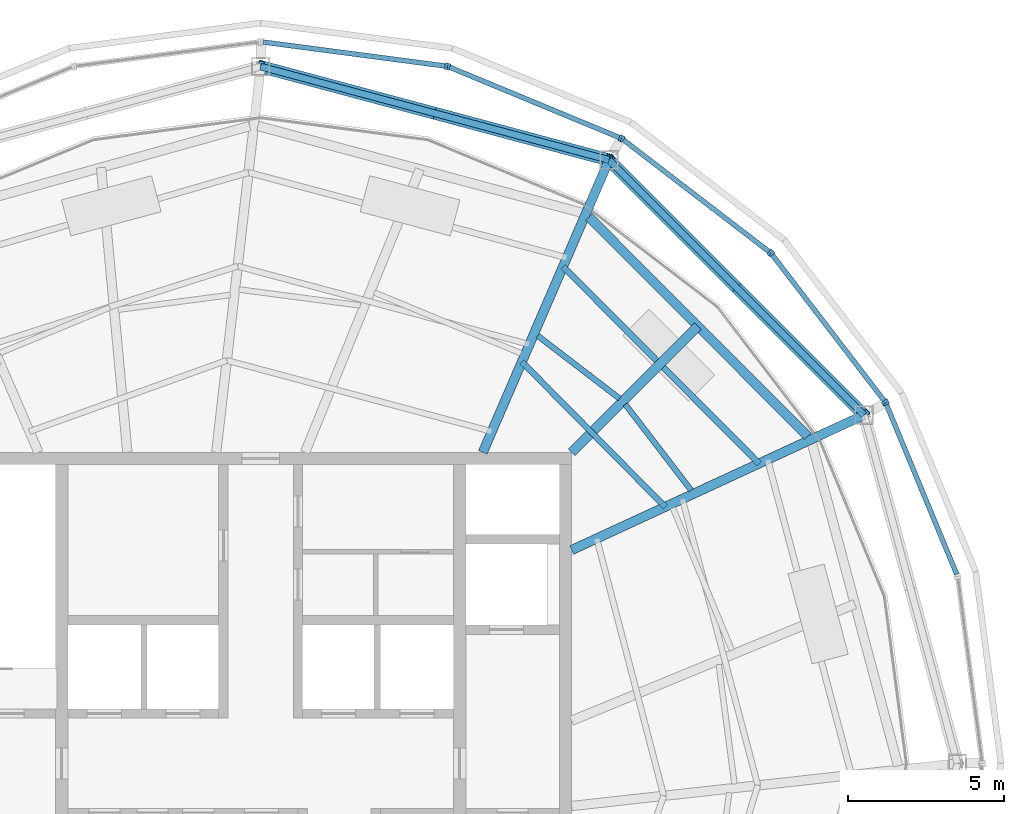
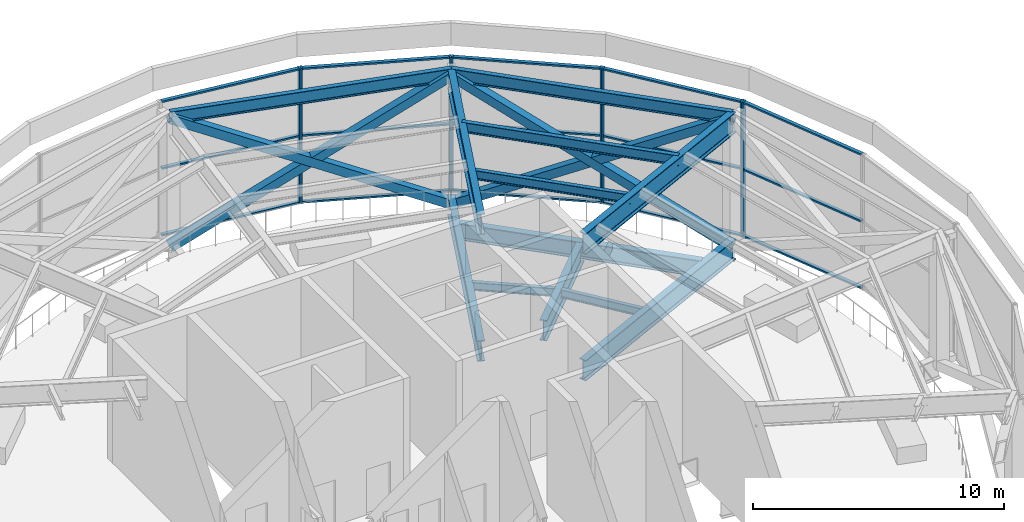
# One storey, part 7 of 13: 29 members, 10 beams, 5 elements without a shape of their own.
"""IFC4 building model written with IfcOpenShell, lengths in metres."""

from ifc_helpers import new_model, si_unit, direction, frame, origin, origin_2d, place, context, subcontext, project, spatial, rectangle, hollow_rectangle, i_section, extrude, material, material_profile, profile_set, type_object, element, aggregate, save


model = new_model("IFC4")

# Units and contexts
model_context = context("Model", 3, precision=1e-05, world=origin(), true_north=direction((0.0, 1.0)))
body_context = subcontext(model_context, "Body", "Model", "MODEL_VIEW")
ifc_project = project(units=[si_unit("LENGTHUNIT", "METRE"), si_unit("AREAUNIT", "SQUARE_METRE"), si_unit("VOLUMEUNIT", "CUBIC_METRE"), si_unit("PLANEANGLEUNIT", "RADIAN"), si_unit("MASSUNIT", "GRAM", prefix="KILO")], contexts=[model_context])

# Site, building, storey
site_placement = place(None, origin())
site = spatial("IfcSite", under=ifc_project, at=site_placement, CompositionType="ELEMENT")
building_placement = place(site_placement, origin())
building = spatial("IfcBuilding", under=site, at=building_placement, Name="Golbaran Civic Tower", CompositionType="ELEMENT")
storey_placement = place(building_placement, frame((0.0, 0.0, 284.0)))
storey = spatial("IfcBuildingStorey", under=building, at=storey_placement, Name="L69", CompositionType="ELEMENT", Elevation=284.0)

# Members
ifc_material_1 = material(Name="Steel S355", Category="steel")
ifc_material_profile_1 = material_profile(ifc_material_1, hollow_rectangle(XDim=0.39990234375, YDim=0.39990234375, WallThickness=0.030029296875, at=origin_2d()), Name="BOX 400x400x30")
ifc_profile_set_1 = profile_set([ifc_material_profile_1], Name="Steel S355")
member_type_1 = type_object("IfcMemberType", Name="CROWN FRAME BRACE BOX 400x400x30", PredefinedType="BRACE", material=ifc_profile_set_1)
for number, where, z_axis, x_axis, name in (
    (1, (19.39892578125, 11.199951171875, -0.7099609375), (-0.622217242579, 0.622217242579, 0.475069895988), (-0.707106781187, -0.707106781187, 0.0), "Crown frame brace 2A"),
    (2, (11.199951171875, 19.39892578125, -0.7099609375), (0.622217242579, -0.622217242579, 0.475069895988), (0.707106781187, 0.707106781187, 0.0), "Crown frame brace 2B"),
    (3, (11.199951171875, 19.39892578125, -0.7099609375), (-0.849964200377, 0.227744086126, 0.475072088542), (-0.258815721085, -0.965926716951, 0.0), "Crown frame brace 3A"),
    (4, (0.0, 22.39990234375, -0.7099609375), (0.849964200377, -0.227744086126, 0.475072088542), (0.258815721085, 0.965926716951, 0.0), "Crown frame brace 3B"),
):
    element("IfcMember", number, at=place(storey_placement, frame(where, z_axis=z_axis, x_axis=x_axis)), inside=storey, type_object=member_type_1, Name=name, PredefinedType="BRACE", context=body_context, shape_type="SweptSolid", body=[
        extrude(hollow_rectangle(XDim=0.39990234375, YDim=0.39990234375, WallThickness=0.030029296875, at=origin_2d()), origin(), (0.0, 0.0, 1.0), 13.177001953125),
    ])
ifc_material_profile_2 = material_profile(ifc_material_1, i_section(OverallWidth=0.18994140625, OverallDepth=0.449951171875, WebThickness=0.009521484375, FlangeThickness=0.0146484375, FilletRadius=0.02099609375, at=origin_2d()), Name="IPE 450")
ifc_profile_set_2 = profile_set([ifc_material_profile_2], Name="Steel S355")
member_type_2 = type_object("IfcMemberType", Name="CROWN FRAME CANOPY PURLIN IPE 450", PredefinedType="PURLIN", material=ifc_profile_set_2)
member_1_placement = place(storey_placement, frame((13.006103515625, 8.24609375, 5.625), z_axis=(-0.702923047744, 0.711265905938, 0.0), x_axis=(-0.711265905938, -0.702923047744, 0.0)))
element("IfcMember", 5, at=member_1_placement, inside=storey, type_object=member_type_2, Name="Canopy purlin 2-1", PredefinedType="PURLIN", context=body_context, shape_type="SweptSolid", body=[
    extrude(i_section(OverallWidth=0.18994140625, OverallDepth=0.449951171875, WebThickness=0.009521484375, FlangeThickness=0.0146484375, FilletRadius=0.02099609375, at=origin_2d()), origin(), (0.0, 0.0, 1.0), 6.554931640625),
])
ifc_material_profile_3 = material_profile(ifc_material_1, i_section(OverallWidth=0.199951171875, OverallDepth=0.5, WebThickness=0.01025390625, FlangeThickness=0.01611328125, FilletRadius=0.02099609375, at=origin_2d()), Name="IPE 500")
ifc_profile_set_3 = profile_set([ifc_material_profile_3], Name="Steel S355")
member_type_3 = type_object("IfcMemberType", Name="CROWN FRAME CANOPY PURLIN IPE 500", PredefinedType="PURLIN", material=ifc_profile_set_3)
member_2_placement = place(storey_placement, frame((16.0234375, 9.640380859375, 5.60009765625), z_axis=(-0.705301061713, 0.708907901173, 0.0), x_axis=(-0.708907901173, -0.705301061713, 0.0)))
element("IfcMember", 6, at=member_2_placement, inside=storey, type_object=member_type_3, Name="Canopy purlin 2-2", PredefinedType="PURLIN", context=body_context, shape_type="SweptSolid", body=[
    extrude(i_section(OverallWidth=0.199951171875, OverallDepth=0.5, WebThickness=0.01025390625, FlangeThickness=0.01611328125, FilletRadius=0.02099609375, at=origin_2d()), origin(), (0.0, 0.0, 1.0), 8.934814453125),
])

# Beams
ifc_material_profile_4 = material_profile(ifc_material_1, i_section(OverallWidth=0.300048828125, OverallDepth=1.0, WebThickness=0.01904296875, FlangeThickness=0.035888671875, FilletRadius=0.030029296875, at=origin_2d()), Name="HEB 1000")
ifc_profile_set_4 = profile_set([ifc_material_profile_4], Name="Steel S355")
beam_type_1 = type_object("IfcBeamType", Name="CROWN FRAME CANOPY RADIAL BEAM HEB 1000", PredefinedType="BEAM", material=ifc_profile_set_4)
beam_1_placement = place(storey_placement, frame((10.0, 6.857177734375, 5.35009765625), z_axis=(0.907782626383, 0.419440941298, 0.0), x_axis=(-0.419440941298, 0.907782626383, 0.0)))
element("IfcBeam", 7, at=beam_1_placement, inside=storey, type_object=beam_type_1, Name="Canopy radial beam 2", PredefinedType="BEAM", context=body_context, shape_type="SweptSolid", body=[
    extrude(i_section(OverallWidth=0.300048828125, OverallDepth=1.0, WebThickness=0.01904296875, FlangeThickness=0.035888671875, FilletRadius=0.030029296875, at=origin_2d()), origin(), (0.0, 0.0, 1.0), 10.353759765625),
])
beam_2_placement = place(storey_placement, frame((7.142822265625, 10.0, 5.35009765625), z_axis=(0.396312669682, 0.918115607018, 0.0), x_axis=(-0.918115607018, 0.396312669682, 0.0)))
element("IfcBeam", 8, at=beam_2_placement, inside=storey, type_object=beam_type_1, Name="Canopy radial beam 3", PredefinedType="BEAM", context=body_context, shape_type="SweptSolid", body=[
    extrude(i_section(OverallWidth=0.300048828125, OverallDepth=1.0, WebThickness=0.01904296875, FlangeThickness=0.035888671875, FilletRadius=0.030029296875, at=origin_2d()), origin(), (0.0, 0.0, 1.0), 10.2373046875),
])
ifc_material_profile_5 = material_profile(ifc_material_1, i_section(OverallWidth=0.219970703125, OverallDepth=0.60009765625, WebThickness=0.011962890625, FlangeThickness=0.01904296875, FilletRadius=0.02392578125, at=origin_2d()), Name="IPE 600")
ifc_profile_set_5 = profile_set([ifc_material_profile_5], Name="Steel S355")
beam_type_2 = type_object("IfcBeamType", Name="CROWN FRAME CANOPY RING BEAM IPE 600", PredefinedType="BEAM", material=ifc_profile_set_5)
beam_3_placement = place(storey_placement, frame((19.39892578125, 11.199951171875, 5.550048828125), z_axis=(-0.707106781187, 0.707106781187, 0.0), x_axis=(-0.707106781187, -0.707106781187, 0.0)))
element("IfcBeam", 9, at=beam_3_placement, inside=storey, type_object=beam_type_2, Name="Canopy ring beam 2", PredefinedType="BEAM", context=body_context, shape_type="SweptSolid", body=[
    extrude(i_section(OverallWidth=0.219970703125, OverallDepth=0.60009765625, WebThickness=0.011962890625, FlangeThickness=0.01904296875, FilletRadius=0.02392578125, at=origin_2d()), origin(), (0.0, 0.0, 1.0), 11.59521484375),
])
beam_4_placement = place(storey_placement, frame((11.199951171875, 19.39892578125, 5.550048828125), z_axis=(-0.965926716951, 0.258815721085, 0.0), x_axis=(-0.258815721085, -0.965926716951, 0.0)))
element("IfcBeam", 10, at=beam_4_placement, inside=storey, type_object=beam_type_2, Name="Canopy ring beam 3", PredefinedType="BEAM", context=body_context, shape_type="SweptSolid", body=[
    extrude(i_section(OverallWidth=0.219970703125, OverallDepth=0.60009765625, WebThickness=0.011962890625, FlangeThickness=0.01904296875, FilletRadius=0.02392578125, at=origin_2d()), origin(), (0.0, 0.0, 1.0), 11.594970703125),
])
ifc_material_profile_6 = material_profile(ifc_material_1, i_section(OverallWidth=0.300048828125, OverallDepth=0.800048828125, WebThickness=0.017578125, FlangeThickness=0.032958984375, FilletRadius=0.030029296875, at=origin_2d()), Name="HEB 800")
ifc_profile_set_6 = profile_set([ifc_material_profile_6], Name="Steel S355")
beam_type_3 = type_object("IfcBeamType", Name="EDGE BEAM HEB 800", PredefinedType="BEAM", material=ifc_profile_set_6)
beam_5_placement = place(storey_placement, frame((17.593994140625, 10.50927734375, -0.699951171875), z_axis=(-0.706273825307, 0.707938757017, 0.0), x_axis=(-0.707938757017, -0.706273825307, 0.0)))
element("IfcBeam", 11, at=beam_5_placement, inside=storey, type_object=beam_type_3, Name="Edge beam 30.00 L69", PredefinedType="BEAM", context=body_context, shape_type="SweptSolid", body=[
    extrude(i_section(OverallWidth=0.300048828125, OverallDepth=0.800048828125, WebThickness=0.017578125, FlangeThickness=0.032958984375, FilletRadius=0.030029296875, at=origin_2d()), origin(), (0.0, 0.0, 1.0), 9.971435546875),
])
ifc_material_profile_7 = material_profile(ifc_material_1, i_section(OverallWidth=0.179931640625, OverallDepth=0.39990234375, WebThickness=0.008544921875, FlangeThickness=0.013427734375, FilletRadius=0.02099609375, at=origin_2d()), Name="IPE 400")
ifc_profile_set_7 = profile_set([ifc_material_profile_7], Name="Steel S355")
beam_type_4 = type_object("IfcBeamType", Name="FLOOR INFILL BEAM IPE 400", PredefinedType="BEAM", material=ifc_profile_set_7)
beam_6_placement = place(storey_placement, frame((13.843505859375, 8.7763671875, -0.5), z_axis=(-0.608734654071, 0.793373884705, 0.0), x_axis=(-0.793373884705, -0.608734654071, 0.0)))
element("IfcBeam", 12, at=beam_6_placement, inside=storey, type_object=beam_type_4, Name="Infill beam 37.50 L69", PredefinedType="BEAM", context=body_context, shape_type="SweptSolid", body=[
    extrude(i_section(OverallWidth=0.179931640625, OverallDepth=0.39990234375, WebThickness=0.008544921875, FlangeThickness=0.013427734375, FilletRadius=0.02099609375, at=origin_2d()), origin(), (0.0, 0.0, 1.0), 3.48291015625),
])
beam_7_placement = place(storey_placement, frame((11.541748046875, 11.7255859375, -0.5), z_axis=(-0.793371165585, 0.60873819793, 0.0), x_axis=(-0.60873819793, -0.793371165585, 0.0)))
element("IfcBeam", 13, at=beam_7_placement, inside=storey, type_object=beam_type_4, Name="Infill beam 52.50 L69", PredefinedType="BEAM", context=body_context, shape_type="SweptSolid", body=[
    extrude(i_section(OverallWidth=0.179931640625, OverallDepth=0.39990234375, WebThickness=0.008544921875, FlangeThickness=0.013427734375, FilletRadius=0.02099609375, at=origin_2d()), origin(), (0.0, 0.0, 1.0), 3.32568359375),
])

# Curtain wall, member
ifc_material_2 = material(Name="Aluminium and glass", Category="aluminium")
curtain_wall_type = type_object("IfcCurtainWallType", Name="OUTER SKIN TERRACOTTA SCREEN", PredefinedType="NOTDEFINED", material=ifc_material_2)
curtain_wall_1_placement = place(storey_placement, origin())
curtain_wall_1 = element("IfcCurtainWall", 14, at=curtain_wall_1_placement, inside=storey, type_object=curtain_wall_type, Name="Crown screen L69 facet 2 CW3", ObjectType="OUTER SKIN", PredefinedType="USERDEFINED")
ifc_material_3 = material(Name="Aluminium", Category="aluminium")
ifc_material_profile_8 = material_profile(ifc_material_3, rectangle(XDim=0.219970703125, YDim=0.080078125, at=origin_2d()), Name="OUTER SKIN TERRACOTTA SCREEN MULLION")
ifc_profile_set_8 = profile_set([ifc_material_profile_8], Name="Aluminium")
member_type_4 = type_object("IfcMemberType", Name="OUTER SKIN TERRACOTTA SCREEN MULLION", PredefinedType="MULLION", material=ifc_profile_set_8)
member_3_placement = place(storey_placement, frame((20.107177734375, 11.56298828125, -0.7099609375), z_axis=(0.0, 0.0, 1.0), x_axis=(-0.923879532525, -0.382683432333, 0.0)))
member_3 = element("IfcMember", 15, at=member_3_placement, type_object=member_type_4, Name="CW3 mullion 2", PredefinedType="MULLION", context=body_context, shape_type="SweptSolid", body=[
    extrude(rectangle(XDim=0.219970703125, YDim=0.080078125, at=origin_2d()), origin(), (0.0, 0.0, 1.0), 6.56005859375),
])

# Curtain wall, members
curtain_wall_2_placement = place(storey_placement, origin())
curtain_wall_2 = element("IfcCurtainWall", 16, at=curtain_wall_2_placement, inside=storey, type_object=curtain_wall_type, Name="Crown screen L69 facet 3 CW3", ObjectType="OUTER SKIN", PredefinedType="USERDEFINED")
member_4_placement = place(storey_placement, frame((20.0673828125, 11.6318359375, -0.7099609375), z_axis=(0.0, 0.0, 1.0), x_axis=(-0.793353340344, -0.608761428939, 0.0)))
member_4 = element("IfcMember", 17, at=member_4_placement, type_object=member_type_4, Name="CW3 mullion 1", PredefinedType="MULLION", context=body_context, shape_type="SweptSolid", body=[
    extrude(rectangle(XDim=0.219970703125, YDim=0.080078125, at=origin_2d()), origin(), (0.0, 0.0, 1.0), 6.56005859375),
])
member_5_placement = place(storey_placement, frame((16.42919921875, 16.373046875, -0.7099609375), z_axis=(0.0, 0.0, 1.0), x_axis=(-0.793353340344, -0.608761428939, 0.0)))
member_5 = element("IfcMember", 18, at=member_5_placement, type_object=member_type_4, Name="CW3 mullion 2", PredefinedType="MULLION", context=body_context, shape_type="SweptSolid", body=[
    extrude(rectangle(XDim=0.219970703125, YDim=0.080078125, at=origin_2d()), origin(), (0.0, 0.0, 1.0), 6.56005859375),
])

curtain_wall_3_placement = place(storey_placement, origin())
curtain_wall_3 = element("IfcCurtainWall", 19, at=curtain_wall_3_placement, inside=storey, type_object=curtain_wall_type, Name="Crown screen L69 facet 4 CW3", ObjectType="OUTER SKIN", PredefinedType="USERDEFINED")
member_6_placement = place(storey_placement, frame((16.373046875, 16.42919921875, -0.7099609375), z_axis=(0.0, 0.0, 1.0), x_axis=(-0.608761428939, -0.793353340344, 0.0)))
member_6 = element("IfcMember", 20, at=member_6_placement, type_object=member_type_4, Name="CW3 mullion 1", PredefinedType="MULLION", context=body_context, shape_type="SweptSolid", body=[
    extrude(rectangle(XDim=0.219970703125, YDim=0.080078125, at=origin_2d()), origin(), (0.0, 0.0, 1.0), 6.56005859375),
])
member_7_placement = place(storey_placement, frame((11.6318359375, 20.0673828125, -0.7099609375), z_axis=(0.0, 0.0, 1.0), x_axis=(-0.608761428939, -0.793353340344, 0.0)))
member_7 = element("IfcMember", 21, at=member_7_placement, type_object=member_type_4, Name="CW3 mullion 2", PredefinedType="MULLION", context=body_context, shape_type="SweptSolid", body=[
    extrude(rectangle(XDim=0.219970703125, YDim=0.080078125, at=origin_2d()), origin(), (0.0, 0.0, 1.0), 6.56005859375),
])

curtain_wall_4_placement = place(storey_placement, origin())
curtain_wall_4 = element("IfcCurtainWall", 22, at=curtain_wall_4_placement, inside=storey, type_object=curtain_wall_type, Name="Crown screen L69 facet 5 CW3", ObjectType="OUTER SKIN", PredefinedType="USERDEFINED")
member_8_placement = place(storey_placement, frame((11.56298828125, 20.107177734375, -0.7099609375), z_axis=(0.0, 0.0, 1.0), x_axis=(-0.382683432333, -0.923879532525, 0.0)))
member_8 = element("IfcMember", 23, at=member_8_placement, type_object=member_type_4, Name="CW3 mullion 1", PredefinedType="MULLION", context=body_context, shape_type="SweptSolid", body=[
    extrude(rectangle(XDim=0.219970703125, YDim=0.080078125, at=origin_2d()), origin(), (0.0, 0.0, 1.0), 6.56005859375),
])
member_9_placement = place(storey_placement, frame((6.04150390625, 22.394287109375, -0.7099609375), z_axis=(0.0, 0.0, 1.0), x_axis=(-0.382683432333, -0.923879532525, 0.0)))
member_9 = element("IfcMember", 24, at=member_9_placement, type_object=member_type_4, Name="CW3 mullion 2", PredefinedType="MULLION", context=body_context, shape_type="SweptSolid", body=[
    extrude(rectangle(XDim=0.219970703125, YDim=0.080078125, at=origin_2d()), origin(), (0.0, 0.0, 1.0), 6.56005859375),
])

# Curtain wall, member
curtain_wall_5_placement = place(storey_placement, origin())
curtain_wall_5 = element("IfcCurtainWall", 25, at=curtain_wall_5_placement, inside=storey, type_object=curtain_wall_type, Name="Crown screen L69 facet 6 CW3", ObjectType="OUTER SKIN", PredefinedType="USERDEFINED")
member_10_placement = place(storey_placement, frame((5.96484375, 22.414794921875, -0.7099609375), z_axis=(0.0, 0.0, 1.0), x_axis=(-0.13052619222, -0.991444861374, 0.0)))
member_10 = element("IfcMember", 26, at=member_10_placement, type_object=member_type_4, Name="CW3 mullion 1", PredefinedType="MULLION", context=body_context, shape_type="SweptSolid", body=[
    extrude(rectangle(XDim=0.219970703125, YDim=0.080078125, at=origin_2d()), origin(), (0.0, 0.0, 1.0), 6.56005859375),
])

# Member
ifc_material_profile_9 = material_profile(ifc_material_3, rectangle(XDim=0.159912109375, YDim=0.080078125, at=origin_2d()), Name="OUTER SKIN TERRACOTTA SCREEN TRANSOM")
ifc_profile_set_9 = profile_set([ifc_material_profile_9], Name="Aluminium")
member_type_5 = type_object("IfcMemberType", Name="OUTER SKIN TERRACOTTA SCREEN TRANSOM", PredefinedType="USERDEFINED", material=ifc_profile_set_9)
member_11_placement = place(storey_placement, frame((22.37890625, 6.07861328125, -0.669921875), z_axis=(-0.382706502494, 0.923869976214, 0.0), x_axis=(-0.923869976214, -0.382706502494, 0.0)))
member_11 = element("IfcMember", 27, at=member_11_placement, type_object=member_type_5, Name="CW3 transom 1.1", ObjectType="TRANSOM", PredefinedType="USERDEFINED", context=body_context, shape_type="SweptSolid", body=[
    extrude(rectangle(XDim=0.159912109375, YDim=0.080078125, at=origin_2d()), origin(), (0.0, 0.0, 1.0), 5.896484375),
])

member_12_placement = place(storey_placement, frame((22.37890625, 6.07861328125, 2.570068359375), z_axis=(-0.382706502494, 0.923869976214, 0.0), x_axis=(-0.923869976214, -0.382706502494, 0.0)))
member_12 = element("IfcMember", 28, at=member_12_placement, type_object=member_type_5, Name="CW3 transom 1.2", ObjectType="TRANSOM", PredefinedType="USERDEFINED", context=body_context, shape_type="SweptSolid", body=[
    extrude(rectangle(XDim=0.159912109375, YDim=0.080078125, at=origin_2d()), origin(), (0.0, 0.0, 1.0), 5.896484375),
])

member_13_placement = place(storey_placement, frame((22.37890625, 6.07861328125, 5.81005859375), z_axis=(-0.382706502494, 0.923869976214, 0.0), x_axis=(-0.923869976214, -0.382706502494, 0.0)))
member_13 = element("IfcMember", 29, at=member_13_placement, type_object=member_type_5, Name="CW3 transom 1.3", ObjectType="TRANSOM", PredefinedType="USERDEFINED", context=body_context, shape_type="SweptSolid", body=[
    extrude(rectangle(XDim=0.159912109375, YDim=0.080078125, at=origin_2d()), origin(), (0.0, 0.0, 1.0), 5.896484375),
])

aggregate(curtain_wall_1, [member_3, member_11, member_12, member_13])

member_14_placement = place(storey_placement, frame((20.04296875, 11.66357421875, -0.669921875), z_axis=(-0.608761817598, 0.793353042116, 0.0), x_axis=(-0.793353042116, -0.608761817598, 0.0)))
member_14 = element("IfcMember", 30, at=member_14_placement, type_object=member_type_5, Name="CW3 transom 1.1", ObjectType="TRANSOM", PredefinedType="USERDEFINED", context=body_context, shape_type="SweptSolid", body=[
    extrude(rectangle(XDim=0.159912109375, YDim=0.080078125, at=origin_2d()), origin(), (0.0, 0.0, 1.0), 5.896240234375),
])

member_15_placement = place(storey_placement, frame((20.04296875, 11.66357421875, 2.570068359375), z_axis=(-0.608761817598, 0.793353042116, 0.0), x_axis=(-0.793353042116, -0.608761817598, 0.0)))
member_15 = element("IfcMember", 31, at=member_15_placement, type_object=member_type_5, Name="CW3 transom 1.2", ObjectType="TRANSOM", PredefinedType="USERDEFINED", context=body_context, shape_type="SweptSolid", body=[
    extrude(rectangle(XDim=0.159912109375, YDim=0.080078125, at=origin_2d()), origin(), (0.0, 0.0, 1.0), 5.896240234375),
])

member_16_placement = place(storey_placement, frame((20.04296875, 11.66357421875, 5.81005859375), z_axis=(-0.608761817598, 0.793353042116, 0.0), x_axis=(-0.793353042116, -0.608761817598, 0.0)))
member_16 = element("IfcMember", 32, at=member_16_placement, type_object=member_type_5, Name="CW3 transom 1.3", ObjectType="TRANSOM", PredefinedType="USERDEFINED", context=body_context, shape_type="SweptSolid", body=[
    extrude(rectangle(XDim=0.159912109375, YDim=0.080078125, at=origin_2d()), origin(), (0.0, 0.0, 1.0), 5.896240234375),
])

aggregate(curtain_wall_2, [member_4, member_5, member_14, member_15, member_16])

member_17_placement = place(storey_placement, frame((16.34130859375, 16.45361328125, -0.669921875), z_axis=(-0.793353042116, 0.608761817598, 0.0), x_axis=(-0.608761817598, -0.793353042116, 0.0)))
member_17 = element("IfcMember", 33, at=member_17_placement, type_object=member_type_5, Name="CW3 transom 1.1", ObjectType="TRANSOM", PredefinedType="USERDEFINED", context=body_context, shape_type="SweptSolid", body=[
    extrude(rectangle(XDim=0.159912109375, YDim=0.080078125, at=origin_2d()), origin(), (0.0, 0.0, 1.0), 5.896240234375),
])

member_18_placement = place(storey_placement, frame((16.34130859375, 16.45361328125, 2.570068359375), z_axis=(-0.793353042116, 0.608761817598, 0.0), x_axis=(-0.608761817598, -0.793353042116, 0.0)))
member_18 = element("IfcMember", 34, at=member_18_placement, type_object=member_type_5, Name="CW3 transom 1.2", ObjectType="TRANSOM", PredefinedType="USERDEFINED", context=body_context, shape_type="SweptSolid", body=[
    extrude(rectangle(XDim=0.159912109375, YDim=0.080078125, at=origin_2d()), origin(), (0.0, 0.0, 1.0), 5.896240234375),
])

member_19_placement = place(storey_placement, frame((16.34130859375, 16.45361328125, 5.81005859375), z_axis=(-0.793353042116, 0.608761817598, 0.0), x_axis=(-0.608761817598, -0.793353042116, 0.0)))
member_19 = element("IfcMember", 35, at=member_19_placement, type_object=member_type_5, Name="CW3 transom 1.3", ObjectType="TRANSOM", PredefinedType="USERDEFINED", context=body_context, shape_type="SweptSolid", body=[
    extrude(rectangle(XDim=0.159912109375, YDim=0.080078125, at=origin_2d()), origin(), (0.0, 0.0, 1.0), 5.896240234375),
])

aggregate(curtain_wall_3, [member_6, member_7, member_17, member_18, member_19])

member_20_placement = place(storey_placement, frame((11.526123046875, 20.122314453125, -0.669921875), z_axis=(-0.923869976214, 0.382706502494, 0.0), x_axis=(-0.382706502494, -0.923869976214, 0.0)))
member_20 = element("IfcMember", 36, at=member_20_placement, type_object=member_type_5, Name="CW3 transom 1.1", ObjectType="TRANSOM", PredefinedType="USERDEFINED", context=body_context, shape_type="SweptSolid", body=[
    extrude(rectangle(XDim=0.159912109375, YDim=0.080078125, at=origin_2d()), origin(), (0.0, 0.0, 1.0), 5.896484375),
])

member_21_placement = place(storey_placement, frame((11.526123046875, 20.122314453125, 2.570068359375), z_axis=(-0.923869976214, 0.382706502494, 0.0), x_axis=(-0.382706502494, -0.923869976214, 0.0)))
member_21 = element("IfcMember", 37, at=member_21_placement, type_object=member_type_5, Name="CW3 transom 1.2", ObjectType="TRANSOM", PredefinedType="USERDEFINED", context=body_context, shape_type="SweptSolid", body=[
    extrude(rectangle(XDim=0.159912109375, YDim=0.080078125, at=origin_2d()), origin(), (0.0, 0.0, 1.0), 5.896484375),
])

member_22_placement = place(storey_placement, frame((11.526123046875, 20.122314453125, 5.81005859375), z_axis=(-0.923869976214, 0.382706502494, 0.0), x_axis=(-0.382706502494, -0.923869976214, 0.0)))
member_22 = element("IfcMember", 38, at=member_22_placement, type_object=member_type_5, Name="CW3 transom 1.3", ObjectType="TRANSOM", PredefinedType="USERDEFINED", context=body_context, shape_type="SweptSolid", body=[
    extrude(rectangle(XDim=0.159912109375, YDim=0.080078125, at=origin_2d()), origin(), (0.0, 0.0, 1.0), 5.896484375),
])

aggregate(curtain_wall_4, [member_8, member_9, member_20, member_21, member_22])

member_23_placement = place(storey_placement, frame((5.92529296875, 22.419921875, -0.669921875), z_axis=(-0.991447106617, 0.130509136774, 0.0), x_axis=(-0.130509136774, -0.991447106617, 0.0)))
member_23 = element("IfcMember", 39, at=member_23_placement, type_object=member_type_5, Name="CW3 transom 1.1", ObjectType="TRANSOM", PredefinedType="USERDEFINED", context=body_context, shape_type="SweptSolid", body=[
    extrude(rectangle(XDim=0.159912109375, YDim=0.080078125, at=origin_2d()), origin(), (0.0, 0.0, 1.0), 5.896484375),
])

member_24_placement = place(storey_placement, frame((5.92529296875, 22.419921875, 2.570068359375), z_axis=(-0.991447106617, 0.130509136774, 0.0), x_axis=(-0.130509136774, -0.991447106617, 0.0)))
member_24 = element("IfcMember", 40, at=member_24_placement, type_object=member_type_5, Name="CW3 transom 1.2", ObjectType="TRANSOM", PredefinedType="USERDEFINED", context=body_context, shape_type="SweptSolid", body=[
    extrude(rectangle(XDim=0.159912109375, YDim=0.080078125, at=origin_2d()), origin(), (0.0, 0.0, 1.0), 5.896484375),
])

member_25_placement = place(storey_placement, frame((5.92529296875, 22.419921875, 5.81005859375), z_axis=(-0.991447106617, 0.130509136774, 0.0), x_axis=(-0.130509136774, -0.991447106617, 0.0)))
member_25 = element("IfcMember", 41, at=member_25_placement, type_object=member_type_5, Name="CW3 transom 1.3", ObjectType="TRANSOM", PredefinedType="USERDEFINED", context=body_context, shape_type="SweptSolid", body=[
    extrude(rectangle(XDim=0.159912109375, YDim=0.080078125, at=origin_2d()), origin(), (0.0, 0.0, 1.0), 5.896484375),
])

aggregate(curtain_wall_5, [member_10, member_23, member_24, member_25])

# Beams
ifc_material_profile_10 = material_profile(ifc_material_1, i_section(OverallWidth=0.300048828125, OverallDepth=1.0, WebThickness=0.01904296875, FlangeThickness=0.035888671875, FilletRadius=0.030029296875, at=origin_2d()), Name="HEB 1000")
ifc_profile_set_10 = profile_set([ifc_material_profile_10], Name="Steel S355")
beam_type_5 = type_object("IfcBeamType", Name="RADIAL FLOOR BEAM HEB 1000", PredefinedType="BEAM", material=ifc_profile_set_10)
beam_8_placement = place(storey_placement, frame((10.0, 6.857177734375, -0.800048828125), z_axis=(0.907782626383, 0.419440941298, 0.0), x_axis=(-0.419440941298, 0.907782626383, 0.0)))
element("IfcBeam", 42, at=beam_8_placement, inside=storey, type_object=beam_type_5, Name="Radial beam 30.00 L69", PredefinedType="BEAM", context=body_context, shape_type="SweptSolid", body=[
    extrude(i_section(OverallWidth=0.300048828125, OverallDepth=1.0, WebThickness=0.01904296875, FlangeThickness=0.035888671875, FilletRadius=0.030029296875, at=origin_2d()), origin(), (0.0, 0.0, 1.0), 10.353759765625),
])
beam_9_placement = place(storey_placement, frame((7.142822265625, 10.0, -0.800048828125), z_axis=(0.396312669682, 0.918115607018, 0.0), x_axis=(-0.918115607018, 0.396312669682, 0.0)))
element("IfcBeam", 43, at=beam_9_placement, inside=storey, type_object=beam_type_5, Name="Radial beam 60.00 L69", PredefinedType="BEAM", context=body_context, shape_type="SweptSolid", body=[
    extrude(i_section(OverallWidth=0.300048828125, OverallDepth=1.0, WebThickness=0.01904296875, FlangeThickness=0.035888671875, FilletRadius=0.030029296875, at=origin_2d()), origin(), (0.0, 0.0, 1.0), 10.2373046875),
])
ifc_material_profile_11 = material_profile(ifc_material_1, i_section(OverallWidth=0.300048828125, OverallDepth=1.0, WebThickness=0.01904296875, FlangeThickness=0.035888671875, FilletRadius=0.030029296875, at=origin_2d()), Name="HEB 1000")
ifc_profile_set_11 = profile_set([ifc_material_profile_11], Name="Steel S355")
beam_type_6 = type_object("IfcBeamType", Name="SECONDARY FLOOR BEAM HEB 1000", PredefinedType="BEAM", material=ifc_profile_set_11)
beam_10_placement = place(storey_placement, frame((10.0, 10.0, -0.800048828125), z_axis=(0.707106781187, 0.707106781187, 0.0), x_axis=(-0.707106781187, 0.707106781187, 0.0)))
element("IfcBeam", 44, at=beam_10_placement, inside=storey, type_object=beam_type_6, Name="Secondary beam 45.00 L69", PredefinedType="BEAM", context=body_context, shape_type="SweptSolid", body=[
    extrude(i_section(OverallWidth=0.300048828125, OverallDepth=1.0, WebThickness=0.01904296875, FlangeThickness=0.035888671875, FilletRadius=0.030029296875, at=origin_2d()), origin(), (0.0, 0.0, 1.0), 5.735595703125),
])

save(model, "model.ifc")
